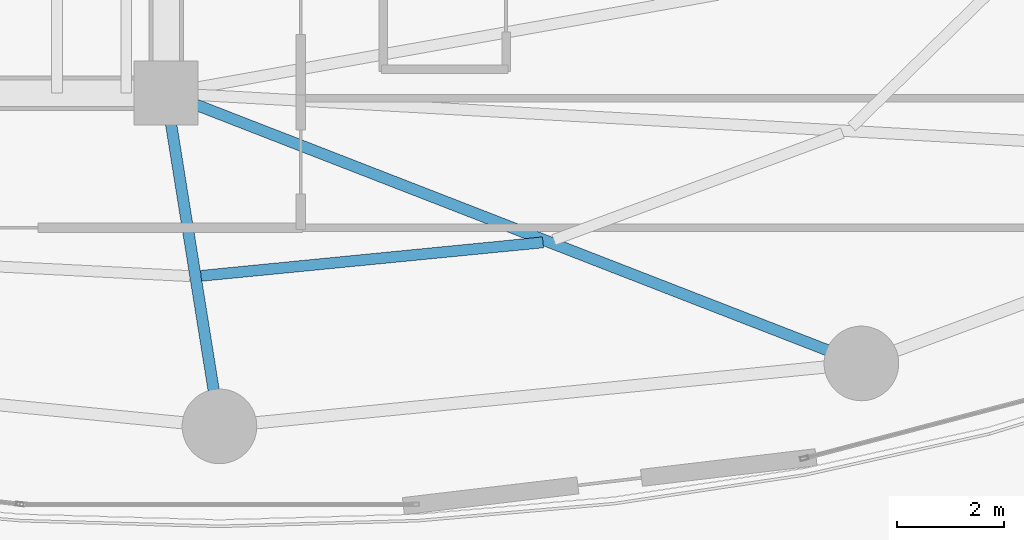
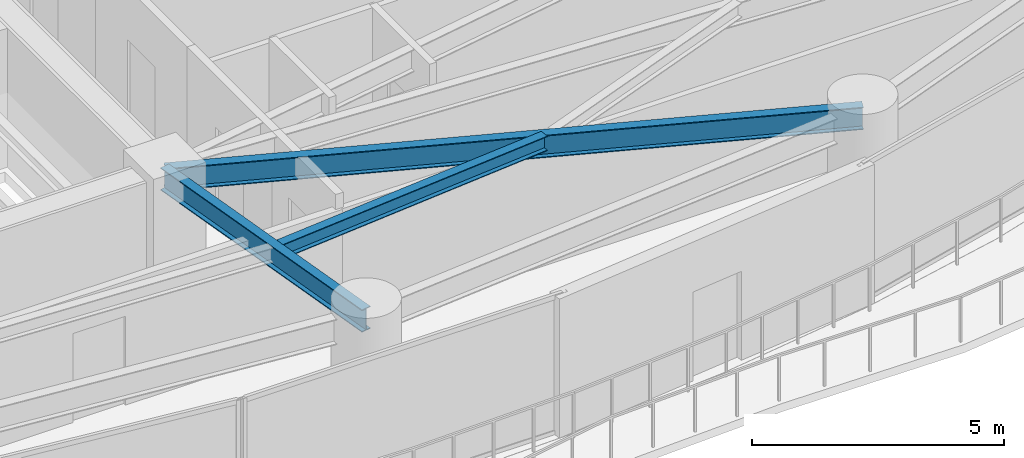
# One storey, part 11 of 31: 3 beams.
"""IFC4 building model written with IfcOpenShell, lengths in metres."""

from ifc_helpers import new_model, si_unit, direction, frame, origin, origin_2d, place, context, subcontext, project, spatial, i_section, extrude, material, material_profile, profile_set, type_object, element, save


model = new_model("IFC4")

# Units and contexts
model_context = context("Model", 3, precision=1e-05, world=origin(), true_north=direction((0.0, 1.0)))
body_context = subcontext(model_context, "Body", "Model", "MODEL_VIEW")
ifc_project = project(units=[si_unit("LENGTHUNIT", "METRE"), si_unit("AREAUNIT", "SQUARE_METRE"), si_unit("VOLUMEUNIT", "CUBIC_METRE"), si_unit("PLANEANGLEUNIT", "RADIAN"), si_unit("MASSUNIT", "GRAM", prefix="KILO")], contexts=[model_context])

# Site, building, storey
site_placement = place(None, origin())
site = spatial("IfcSite", under=ifc_project, at=site_placement, CompositionType="ELEMENT")
building_placement = place(site_placement, origin())
building = spatial("IfcBuilding", under=site, at=building_placement, Name="Kazevale Care Tower and Concert Hall", CompositionType="ELEMENT")
storey_placement = place(building_placement, frame((0.0, 0.0, 78.0)))
storey = spatial("IfcBuildingStorey", under=building, at=storey_placement, Name="L20", CompositionType="ELEMENT", Elevation=78.0)

# Beams
ifc_material = material(Name="Steel ASTM A572 Gr 50", Category="steel")
ifc_material_profile_1 = material_profile(ifc_material, i_section(OverallWidth=0.2119140625, OverallDepth=0.5439453125, WebThickness=0.01318359375, FlangeThickness=0.021240234375, at=origin_2d()), Name="W530x123")
ifc_profile_set_1 = profile_set([ifc_material_profile_1], Name="Steel ASTM A572 Gr 50")
beam_type_1 = type_object("IfcBeamType", Name="Radial Floor Girder W530x123", PredefinedType="BEAM", material=ifc_profile_set_1)
beam_1_placement = place(storey_placement, frame((44.0, 23.60009765625, 3.087890625), z_axis=(0.157990501107, -0.987440631917, 0.0), x_axis=(0.987440631917, 0.157990501107, 0.0)))
element("IfcBeam", 1, at=beam_1_placement, inside=storey, type_object=beam_type_1, Name="beam:L20:rad:13", PredefinedType="BEAM", context=body_context, shape_type="SweptSolid", body=[
    extrude(i_section(OverallWidth=0.2119140625, OverallDepth=0.5439453125, WebThickness=0.01318359375, FlangeThickness=0.021240234375, at=origin_2d()), origin(), (0.0, 0.0, 1.0), 6.32958984375),
])
beam_2_placement = place(storey_placement, frame((44.0, 23.60009765625, 3.087890625), z_axis=(0.932030212407, -0.362380577792, 0.0), x_axis=(0.362380577792, 0.932030212407, 0.0)))
element("IfcBeam", 2, at=beam_2_placement, inside=storey, type_object=beam_type_1, Name="beam:L20:rad:14", PredefinedType="BEAM", context=body_context, shape_type="SweptSolid", body=[
    extrude(i_section(OverallWidth=0.2119140625, OverallDepth=0.5439453125, WebThickness=0.01318359375, FlangeThickness=0.021240234375, at=origin_2d()), origin(), (0.0, 0.0, 1.0), 13.990966796875),
])
ifc_material_profile_2 = material_profile(ifc_material, i_section(OverallWidth=0.205078125, OverallDepth=0.35400390625, WebThickness=0.009521484375, FlangeThickness=0.016845703125, at=origin_2d()), Name="W360x79")
ifc_profile_set_2 = profile_set([ifc_material_profile_2], Name="Steel ASTM A572 Gr 50")
beam_type_2 = type_object("IfcBeamType", Name="Secondary Floor Joist W360x79", PredefinedType="JOIST", material=ifc_profile_set_2)
beam_3_placement = place(storey_placement, frame((44.654052734375, 20.173095703125, 3.18310546875), z_axis=(0.995242075791, 0.097433108212, 0.0), x_axis=(-0.097433108212, 0.995242075791, 0.0)))
element("IfcBeam", 3, at=beam_3_placement, inside=storey, type_object=beam_type_2, Name="beam:L20:joist:13", PredefinedType="JOIST", context=body_context, shape_type="SweptSolid", body=[
    extrude(i_section(OverallWidth=0.205078125, OverallDepth=0.35400390625, WebThickness=0.009521484375, FlangeThickness=0.016845703125, at=origin_2d()), origin(), (0.0, 0.0, 1.0), 6.44482421875),
])

save(model, "model.ifc")
